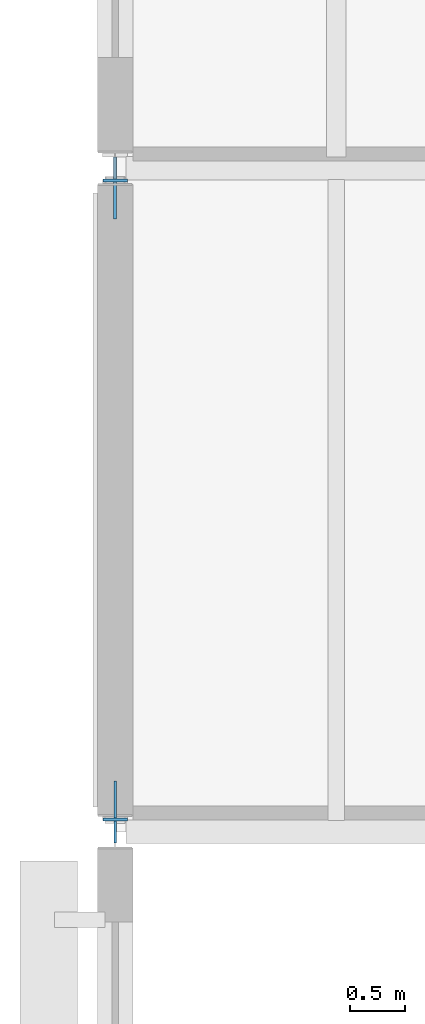
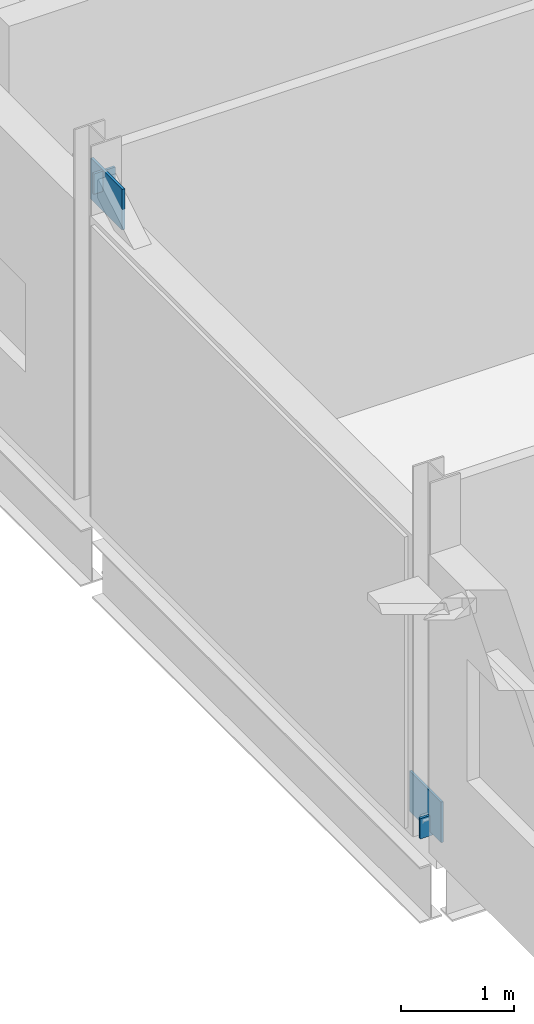
# One storey, part 52 of 92: 4 plates.
"""IFC4 building model written with IfcOpenShell, lengths in metres."""

from ifc_helpers import new_model, si_unit, direction, frame, origin, origin_2d, place, context, subcontext, project, spatial, rectangle, extrude, material, layer, layer_set, type_object, element, save


model = new_model("IFC4")

# Units and contexts
model_context = context("Model", 3, precision=1e-05, world=origin(), true_north=direction((0.0, 1.0)))
body_context = subcontext(model_context, "Body", "Model", "MODEL_VIEW")
ifc_project = project(units=[si_unit("LENGTHUNIT", "METRE"), si_unit("AREAUNIT", "SQUARE_METRE"), si_unit("VOLUMEUNIT", "CUBIC_METRE"), si_unit("PLANEANGLEUNIT", "RADIAN"), si_unit("MASSUNIT", "GRAM", prefix="KILO")], contexts=[model_context])

# Site, building, storey
site_placement = place(None, origin())
site = spatial("IfcSite", under=ifc_project, at=site_placement, CompositionType="ELEMENT")
building_placement = place(site_placement, origin())
building = spatial("IfcBuilding", under=site, at=building_placement, Name="Siltcreek Boulevard Central Fire Station", CompositionType="ELEMENT")
storey_placement = place(building_placement, frame((0.0, 0.0, 6.0)))
storey = spatial("IfcBuildingStorey", under=building, at=storey_placement, Name="L02", CompositionType="ELEMENT", Elevation=6.0)

# Plates
ifc_material = material(Name="Structural steel ASTM A572 Gr50", Category="steel")
ifc_layer_1 = layer(ifc_material, 0.02490234375, Name="Structural steel ASTM A572 Gr50")
ifc_layer_set_1 = layer_set([ifc_layer_1], Name="Structural steel ASTM A572 Gr50")
plate_type_1 = type_object("IfcPlateType", Name="PL_CAP25", PredefinedType="USERDEFINED", material=ifc_layer_set_1)
for number, where, z_axis, x_axis, name in (
    (1, (1.800048828125, 42.111083984375, -0.015625), (0.0, 0.0, 1.0), (0.0, 1.0, 0.0), "L02 SCBF concentrically braced frame BR-002 sealed end cap 1"),
    (2, (1.800048828125, 47.888916015625, 3.4453125), (0.0, 0.0, 1.0), (0.0, 1.0, 0.0), "L02 SCBF concentrically braced frame BR-002 sealed end cap 2"),
):
    element("IfcPlate", number, at=place(storey_placement, frame(where, z_axis=z_axis, x_axis=x_axis)), inside=storey, type_object=plate_type_1, Name=name, ObjectType="END CAP", PredefinedType="USERDEFINED", context=body_context, shape_type="SweptSolid", body=[
        extrude(rectangle(XDim=0.02490234375, YDim=0.219970703125, at=origin_2d()), origin(), (0.0, 0.0, 1.0), 0.219970703125),
    ])
ifc_layer_2 = layer(ifc_material, 0.02197265625, Name="Structural steel ASTM A572 Gr50")
ifc_layer_set_2 = layer_set([ifc_layer_2], Name="Structural steel ASTM A572 Gr50")
plate_type_2 = type_object("IfcPlateType", Name="PL_GUS22", PredefinedType="USERDEFINED", material=ifc_layer_set_2)
plate_1_placement = place(storey_placement, frame((1.800048828125, 42.179931640625, 0.030029296875), z_axis=(0.0, 0.0, 1.0), x_axis=(0.0, 1.0, 0.0)))
element("IfcPlate", 3, at=plate_1_placement, inside=storey, type_object=plate_type_2, Name="Seismic brace bot gusset plate GP-037", ObjectType="GUSSET PLATE", PredefinedType="USERDEFINED", context=body_context, shape_type="SweptSolid", body=[
    extrude(rectangle(XDim=0.56005859375, YDim=0.02197265625, at=origin_2d()), origin(), (0.0, 0.0, 1.0), 0.43994140625),
])
ifc_layer_3 = layer(ifc_material, 0.028076171875, Name="Structural steel ASTM A572 Gr50")
ifc_layer_set_3 = layer_set([ifc_layer_3], Name="Structural steel ASTM A572 Gr50")
plate_type_3 = type_object("IfcPlateType", Name="PL_GUS28", PredefinedType="USERDEFINED", material=ifc_layer_set_3)
plate_2_placement = place(storey_placement, frame((1.800048828125, 47.820068359375, 3.22998046875), z_axis=(0.0, 0.0, 1.0), x_axis=(0.0, 1.0, 0.0)))
element("IfcPlate", 4, at=plate_2_placement, inside=storey, type_object=plate_type_3, Name="Seismic brace top gusset plate GP-038", ObjectType="GUSSET PLATE", PredefinedType="USERDEFINED", context=body_context, shape_type="SweptSolid", body=[
    extrude(rectangle(XDim=0.56005859375, YDim=0.028076171875, at=origin_2d()), origin(), (0.0, 0.0, 1.0), 0.43994140625),
])

save(model, "model.ifc")
